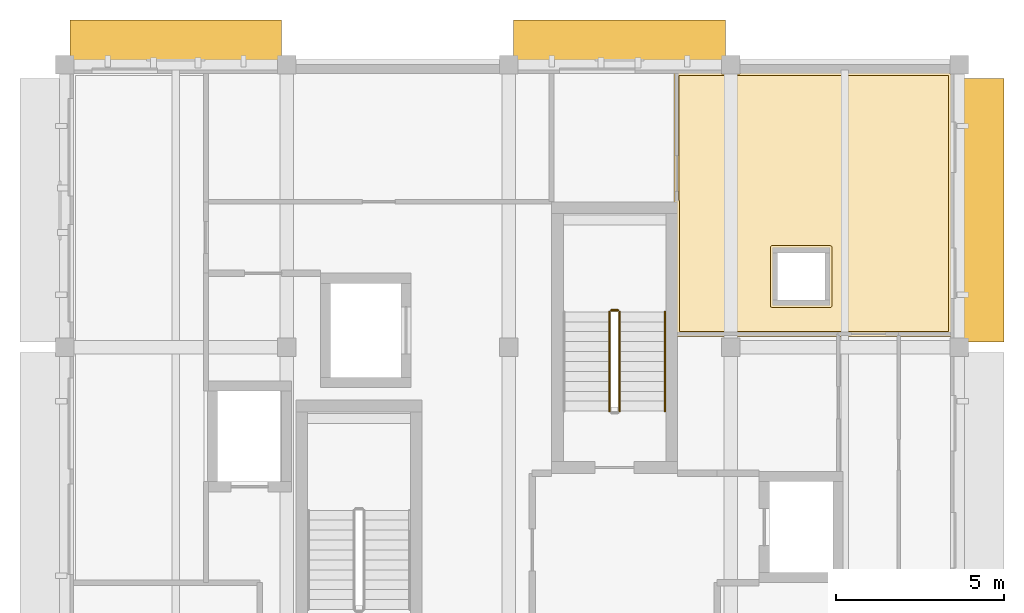
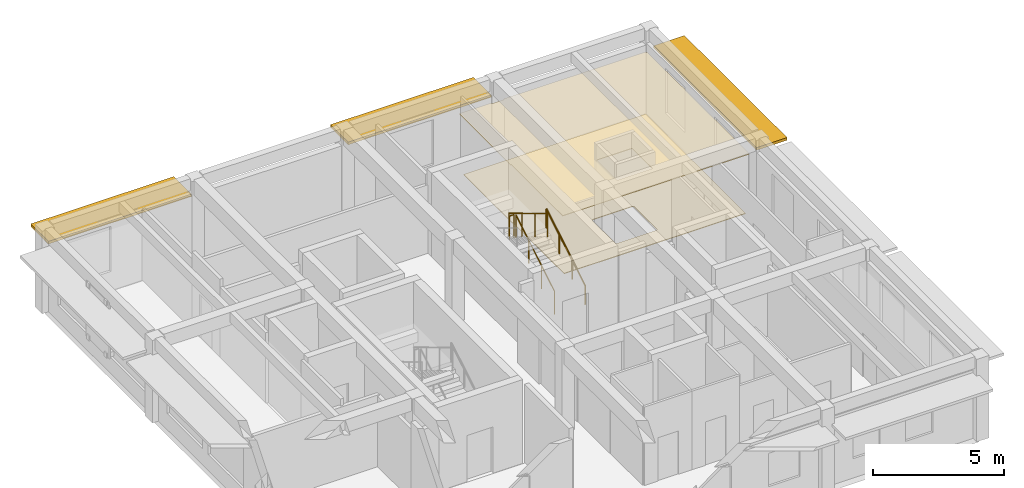
# One storey, part 7 of 7: 4 railings, 3 shading devices, 2 coverings.
"""IFC4 building model written with IfcOpenShell, lengths in metres."""

import ifcopenshell
import ifcopenshell.guid

model = None  # the IFC model being written
_history = None  # IfcOwnerHistory: only IFC2X3 demands one
_inside = {}  # id of a spatial element -> (the spatial element, [elements in it])
_under = {}  # id of a project, library or spatial element -> (it, [spatial elements below it])
_declared = {}  # id of a project -> (the project, [libraries it declares])
_typed = {}  # id of a type object -> (the type object, [elements of that type])
_made_of = {}  # id of a material, layer set ... -> (it, [elements and type objects made of it])


def new_model(schema):
    """Start an empty IFC model of exactly this schema.

    Asked for "IFC4X3", IfcOpenShell would pick the latest addendum, in which some entities
    have other attributes; the version numbers below select the first issue.
    IFC2X3 requires an IfcOwnerHistory on every rooted entity: one is made here for all.
    """
    global model, _history
    if schema == "IFC4X3":
        model = ifcopenshell.file(schema_version=(4, 3, 0, 0))
    else:
        model = ifcopenshell.file(schema=schema)
    _inside.clear()
    _under.clear()
    _declared.clear()
    _typed.clear()
    _made_of.clear()
    _history = None
    if model.schema == "IFC2X3":
        org = make("IfcOrganization", Name="unknown")
        user = make(
            "IfcPersonAndOrganization",
            ThePerson=make("IfcPerson", FamilyName="unknown"),
            TheOrganization=org,
        )
        app = make(
            "IfcApplication",
            ApplicationDeveloper=org,
            Version="unknown",
            ApplicationFullName="unknown",
            ApplicationIdentifier="unknown",
        )
        _history = make(
            "IfcOwnerHistory",
            OwningUser=user,
            OwningApplication=app,
            ChangeAction="ADDED",
            CreationDate=0,
        )
    return model


def make(cls, **values):
    """One entity of the class cls with the attributes given. An attribute that is None is left unset."""
    return model.create_entity(
        cls, **{name: value for name, value in values.items() if value is not None}
    )


def rooted(cls, **values):
    """An entity with a GlobalId (a new one), such as an element, a storey or a relation."""
    return make(cls, GlobalId=ifcopenshell.guid.new(), OwnerHistory=_history, **values)


def si_unit(unit_type, name, prefix=None):
    """IfcSIUnit, for example si_unit("LENGTHUNIT", "METRE", prefix="MILLI")."""
    return make("IfcSIUnit", UnitType=unit_type, Prefix=prefix, Name=name)


def assignment(units):
    """IfcUnitAssignment: the units of a project."""
    return None if units is None else make("IfcUnitAssignment", Units=units)


def point(xyz):
    """IfcCartesianPoint."""
    return None if xyz is None else make("IfcCartesianPoint", Coordinates=xyz)


def direction(xyz):
    """IfcDirection."""
    return None if xyz is None else make("IfcDirection", DirectionRatios=xyz)


def frame(location, z_axis=None, x_axis=None):
    """IfcAxis2Placement3D, a coordinate frame: its origin and axes. An axis left out is left unset."""
    return make(
        "IfcAxis2Placement3D",
        Location=point(location),
        Axis=direction(z_axis),
        RefDirection=direction(x_axis),
    )


def frame_2d(location, x_axis=None):
    """IfcAxis2Placement2D, a coordinate frame in the plane: its origin and x axis."""
    return make(
        "IfcAxis2Placement2D", Location=point(location), RefDirection=direction(x_axis)
    )


def origin():
    """The frame at (0, 0, 0) with its axes left unset."""
    return frame((0.0, 0.0, 0.0))


def origin_2d():
    """The frame at (0, 0) in the plane with its x axis left unset."""
    return frame_2d((0.0, 0.0))


def place(relative_to, where):
    """IfcLocalPlacement: puts the frame where relative to a parent placement (None: the world)."""
    return make(
        "IfcLocalPlacement", PlacementRelTo=relative_to, RelativePlacement=where
    )


def context(
    kind, dimensions, precision=None, world=None, true_north=None, identifier=None
):
    """IfcGeometricRepresentationContext, for example the 3D "Model" context."""
    return make(
        "IfcGeometricRepresentationContext",
        ContextIdentifier=identifier,
        ContextType=kind,
        CoordinateSpaceDimension=dimensions,
        Precision=precision,
        WorldCoordinateSystem=world,
        TrueNorth=true_north,
    )


def subcontext(parent, identifier, kind, view, scale=None):
    """IfcGeometricRepresentationSubContext, for example "Body" below "Model"."""
    return make(
        "IfcGeometricRepresentationSubContext",
        ContextIdentifier=identifier,
        ContextType=kind,
        ParentContext=parent,
        TargetScale=scale,
        TargetView=view,
    )


def project(units=None, contexts=None):
    """IfcProject with its units and contexts."""
    return rooted(
        "IfcProject",
        Name="project",
        RepresentationContexts=contexts,
        UnitsInContext=assignment(units),
    )


def spatial(cls, under=None, at=None, **own):
    """A site, building, storey or space (cls), placed at a placement, below another one or the project."""
    s = rooted(cls, ObjectPlacement=at, **own)
    if under is not None:
        _under.setdefault(under.id(), (under, []))[1].append(s)
    return s


def polyline(points):
    """IfcPolyline through the points."""
    return make("IfcPolyline", Points=[point(p) for p in points])


def profile(cls, at=None, kind="AREA", **sizes):
    """A parametric profile (cls). Its sizes go by their IFC names, for example OverallWidth=200.0."""
    return make(cls, ProfileType=kind, Position=at, **sizes)


def rectangle(**sizes):
    """IfcRectangleProfileDef."""
    return profile("IfcRectangleProfileDef", **sizes)


def circle(**sizes):
    """IfcCircleProfileDef."""
    return profile("IfcCircleProfileDef", **sizes)


def outline(outer, holes=None, kind="AREA"):
    """IfcArbitraryClosedProfileDef: a profile drawn as a closed curve; with holes, ...WithVoids."""
    if holes is None:
        return make("IfcArbitraryClosedProfileDef", ProfileType=kind, OuterCurve=outer)
    return make(
        "IfcArbitraryProfileDefWithVoids",
        ProfileType=kind,
        OuterCurve=outer,
        InnerCurves=holes,
    )


def extrude(swept, where, along, depth):
    """IfcExtrudedAreaSolid: the profile swept, set in the frame where, extruded along a direction by depth."""
    return make(
        "IfcExtrudedAreaSolid",
        SweptArea=swept,
        Position=where,
        ExtrudedDirection=direction(along),
        Depth=depth,
    )


def shape(context_of_items, identifier, shape_type, items):
    """IfcShapeRepresentation: the items that make up one representation, for example the "Body"."""
    return make(
        "IfcShapeRepresentation",
        ContextOfItems=context_of_items,
        RepresentationIdentifier=identifier,
        RepresentationType=shape_type,
        Items=items,
    )


def material(Name=None, Category=None):
    """IfcMaterial."""
    return make("IfcMaterial", Name=Name, Category=Category)


def layer(
    of_material, thickness, ventilated=None, Name=None, Category=None, Priority=None
):
    """IfcMaterialLayer: one layer of a wall or slab, of a material (None: an air gap)."""
    return make(
        "IfcMaterialLayer",
        Material=of_material,
        LayerThickness=thickness,
        IsVentilated=ventilated,
        Name=Name,
        Category=Category,
        Priority=Priority,
    )


def layer_set(layers, Name=None):
    """IfcMaterialLayerSet."""
    return make("IfcMaterialLayerSet", MaterialLayers=layers, LayerSetName=Name)


def made_of(thing, what):
    """Note that an element or type object is made of a material, layer set ...; save() writes the relation."""
    if what is not None:
        _made_of.setdefault(what.id(), (what, []))[1].append(thing)
    return thing


def type_object(cls, material=None, **own):
    """A type object (cls), such as IfcWallType, which elements share."""
    return made_of(rooted(cls, **own), material)


def element(
    cls,
    number,
    at=None,
    inside=None,
    cuts=None,
    type_object=None,
    material=None,
    context=None,
    identifier="Body",
    shape_type=None,
    held_by="IfcProductDefinitionShape",
    body=None,
    shapes=None,
    **own,
):
    """One element of the class cls, such as IfcWall. Its Tag is "e" and its number.

    at: its placement. inside: the storey or other place that contains it. cuts: it is an
    opening in that element (IfcRelVoidsElement). A single representation is given by context,
    identifier, shape_type and body (its items); several are given by shapes. held_by: the class
    of the entity that holds the representations. save() writes the other relations.
    """
    e = rooted(cls, Tag="e%d" % number, ObjectPlacement=at, **own)
    if body is not None:
        shapes = [shape(context, identifier, shape_type, body)]
    if shapes is not None:
        e.Representation = make(held_by, Representations=shapes)
    if inside is not None:
        _inside.setdefault(inside.id(), (inside, []))[1].append(e)
    if cuts is not None:
        rooted(
            "IfcRelVoidsElement", RelatingBuildingElement=cuts, RelatedOpeningElement=e
        )
    if type_object is not None:
        _typed.setdefault(type_object.id(), (type_object, []))[1].append(e)
    return made_of(e, material)


def aggregate(whole, parts):
    """IfcRelAggregates: a whole, such as a stair, and the parts it consists of."""
    return rooted("IfcRelAggregates", RelatingObject=whole, RelatedObjects=parts)


def save(model, path):
    """Write the relations noted so far, then the file.

    IfcRelAggregates (storeys below a building ...), IfcRelContainedInSpatialStructure (elements
    in a storey), IfcRelDefinesByType, IfcRelAssociatesMaterial and IfcRelDeclares: one each for
    every whole, place, type object, material and project.
    """
    for whole, parts in _under.values():
        aggregate(whole, parts)
    for where, things in _inside.values():
        rooted(
            "IfcRelContainedInSpatialStructure",
            RelatedElements=things,
            RelatingStructure=where,
        )
    for kind, things in _typed.values():
        rooted("IfcRelDefinesByType", RelatedObjects=things, RelatingType=kind)
    for what, things in _made_of.values():
        rooted("IfcRelAssociatesMaterial", RelatedObjects=things, RelatingMaterial=what)
    for by, libraries in _declared.values():
        rooted("IfcRelDeclares", RelatingContext=by, RelatedDefinitions=libraries)
    model.write(path)


model = new_model("IFC4")

# Units and contexts
model_context = context("Model", 3, precision=1e-05, world=origin(), true_north=direction((0.0, 1.0)))
body_context = subcontext(model_context, "Body", "Model", "MODEL_VIEW")
ifc_project = project(units=[si_unit("LENGTHUNIT", "METRE"), si_unit("AREAUNIT", "SQUARE_METRE"), si_unit("VOLUMEUNIT", "CUBIC_METRE"), si_unit("PLANEANGLEUNIT", "RADIAN"), si_unit("MASSUNIT", "GRAM", prefix="KILO")], contexts=[model_context])

# Site, building, storey
site_placement = place(None, origin())
site = spatial("IfcSite", under=ifc_project, at=site_placement, CompositionType="ELEMENT")
building_placement = place(site_placement, origin())
building = spatial("IfcBuilding", under=site, at=building_placement, Name="Kolvaren Faculty of Natural Sciences", CompositionType="ELEMENT")
storey_placement = place(building_placement, frame((0.0, 0.0, 40.5)))
storey = spatial("IfcBuildingStorey", under=building, at=storey_placement, Name="L09", CompositionType="ELEMENT", Elevation=40.5)

# Covering
ifc_material_1 = material(Name="Perforated mineral-fibre acoustic suspended ceiling tile")
ifc_layer_1 = layer(ifc_material_1, 0.02490234375)
ifc_layer_set_1 = layer_set([ifc_layer_1], Name="Perforated mineral-fibre acoustic suspended ceiling tile")
covering_type_1 = type_object("IfcCoveringType", Name="AcousticSuspendedCeiling_25", PredefinedType="CEILING", material=ifc_layer_set_1)
covering_1_placement = place(storey_placement, frame((0.0, 0.0, 2.824951171875)))
element("IfcCovering", 1, at=covering_1_placement, inside=storey, type_object=covering_type_1, Name="L09 L09 Senior Researcher Office acoustic ceiling", PredefinedType="CEILING", context=body_context, shape_type="SweptSolid", body=[
    extrude(outline(polyline([(163.544921875, 80.044921875), (163.52001953125, 80.044921875), (163.52001953125, 83.97998046875), (164.925048828125, 83.97998046875), (164.925048828125, 83.925048828125), (165.47509765625, 83.925048828125), (165.47509765625, 83.97998046875), (171.72509765625, 83.97998046875), (171.72509765625, 83.925048828125), (171.780029296875, 83.925048828125), (171.780029296875, 76.1201171875), (163.544921875, 76.1201171875), (163.544921875, 80.044921875)]), holes=[polyline([(168.080078125, 77.1201171875), (168.080078125, 78.679931640625), (166.52001953125, 78.679931640625), (166.52001953125, 77.1201171875), (168.080078125, 77.1201171875)])]), origin(), (0.0, 0.0, 1.0), 0.025146484375),
])

# Shading devices
ifc_material_2 = material(Name="Precast concrete C35/45", Category="concrete")
ifc_layer_2 = layer(ifc_material_2, 0.1201171875)
ifc_layer_set_2 = layer_set([ifc_layer_2], Name="Precast concrete C35/45")
shading_device_type = type_object("IfcShadingDeviceType", Name="ChhajjaSolarHood_1350", PredefinedType="AWNING", material=ifc_layer_set_2)
shading_device_placement = place(storey_placement, frame((172.655029296875, 79.8701171875, 3.044921875), z_axis=(0.0, 0.0, 1.0), x_axis=(0.0, -1.0, 0.0)))
element("IfcShadingDevice", 2, at=shading_device_placement, inside=storey, type_object=shading_device_type, Name="L09 precast sandstone chhajja solar hood 202", PredefinedType="AWNING", context=body_context, shape_type="SweptSolid", body=[
    extrude(rectangle(XDim=7.840087890625, YDim=1.35009765625, at=origin_2d()), origin(), (0.0, 0.0, 1.0), 0.1201171875),
])
for number, where, z_axis, x_axis, name in (
    (3, (148.699951171875, 84.85498046875, 2.94482421875), (0.0, 0.0, 1.0), (1.0, 0.0, 0.0), "L09 precast sandstone chhajja solar hood 205"),
    (4, (161.89990234375, 84.85498046875, 2.94482421875), (0.0, 0.0, 1.0), (1.0, 0.0, 0.0), "L09 precast sandstone chhajja solar hood 206"),
):
    element("IfcShadingDevice", number, at=place(storey_placement, frame(where, z_axis=z_axis, x_axis=x_axis)), inside=storey, type_object=shading_device_type, Name=name, PredefinedType="AWNING", context=body_context, shape_type="SweptSolid", body=[
        extrude(rectangle(XDim=6.300048828125, YDim=1.35009765625, at=origin_2d()), origin(), (0.0, 0.0, 1.0), 0.1201171875),
    ])

# Railings
ifc_material_3 = material(Name="Structural steel EN 10210-1 S355J2H", Category="steel")
ifc_layer_3 = layer(ifc_material_3, 0.048095703125)
ifc_layer_set_3 = layer_set([ifc_layer_3], Name="Structural steel EN 10210-1 S355J2H")
railing_type_1 = type_object("IfcRailingType", Name="StairPitchHandrail_920", PredefinedType="HANDRAIL", material=ifc_layer_set_3)
railing_1_placement = place(storey_placement, frame((163.25, 73.89990234375, 0.17724609375)))
element("IfcRailing", 5, at=railing_1_placement, inside=storey, type_object=railing_type_1, Name="L09 ST-1 stair handrail 1", PredefinedType="HANDRAIL", context=body_context, shape_type="SweptSolid", body=[
    extrude(circle(Radius=0.02392578125, at=origin_2d()), frame((0.0, 0.0, 0.8759765625), z_axis=(0.0, 0.85716102882, 0.515048512931), x_axis=(-1.0, 0.0, 0.0)), (0.0, 0.0, 1.0), 3.44189453125),
    extrude(circle(Radius=0.02099609375, at=origin_2d()), origin(), (0.0, 0.0, 1.0), 0.851806640625),
    extrude(circle(Radius=0.02099609375, at=origin_2d()), frame((0.0, 0.9833984375, 0.5908203125)), (0.0, 0.0, 1.0), 0.851806640625),
    extrude(circle(Radius=0.02099609375, at=origin_2d()), frame((0.0, 1.966796875, 1.181884765625)), (0.0, 0.0, 1.0), 0.851806640625),
    extrude(circle(Radius=0.02099609375, at=origin_2d()), frame((0.0, 2.9501953125, 1.772705078125)), (0.0, 0.0, 1.0), 0.851806640625),
])
ifc_layer_4 = layer(ifc_material_3, 0.048095703125)
ifc_layer_set_4 = layer_set([ifc_layer_4], Name="Structural steel EN 10210-1 S355J2H")
railing_type_2 = type_object("IfcRailingType", Name="StairWellGuard_1100", PredefinedType="BALUSTRADE", material=ifc_layer_set_4)
railing_2_placement = place(storey_placement, frame((161.89990234375, 73.89990234375, 0.17724609375)))
element("IfcRailing", 6, at=railing_2_placement, inside=storey, type_object=railing_type_2, Name="L09 ST-1 stair guard 1", PredefinedType="BALUSTRADE", context=body_context, shape_type="SweptSolid", body=[
    extrude(circle(Radius=0.02392578125, at=origin_2d()), frame((0.0, 0.0, 1.076171875), z_axis=(0.0, 0.85716102882, 0.515048512931), x_axis=(-1.0, 0.0, 0.0)), (0.0, 0.0, 1.0), 3.44189453125),
    extrude(circle(Radius=0.02099609375, at=origin_2d()), origin(), (0.0, 0.0, 1.0), 1.052001953125),
    extrude(circle(Radius=0.02099609375, at=origin_2d()), frame((0.0, 0.9833984375, 0.5908203125)), (0.0, 0.0, 1.0), 1.052001953125),
    extrude(circle(Radius=0.02099609375, at=origin_2d()), frame((0.0, 1.966796875, 1.181884765625)), (0.0, 0.0, 1.0), 1.052001953125),
    extrude(circle(Radius=0.02099609375, at=origin_2d()), frame((0.0, 2.9501953125, 1.772705078125)), (0.0, 0.0, 1.0), 1.052001953125),
])
railing_3_placement = place(storey_placement, frame((161.85009765625, 76.89990234375, 1.949951171875)))
element("IfcRailing", 7, at=railing_3_placement, inside=storey, type_object=railing_type_2, Name="L09 ST-1 stair guard 2", PredefinedType="BALUSTRADE", context=body_context, shape_type="SweptSolid", body=[
    extrude(circle(Radius=0.02392578125, at=origin_2d()), frame((0.0, 0.0, 1.076171875), z_axis=(-1.0, 0.0, 0.0), x_axis=(0.0, -1.0, 0.0)), (0.0, 0.0, 1.0), 0.2001953125),
    extrude(circle(Radius=0.02099609375, at=origin_2d()), origin(), (0.0, 0.0, 1.0), 1.052001953125),
    extrude(circle(Radius=0.02099609375, at=origin_2d()), frame((-0.2001953125, 0.0, 0.0)), (0.0, 0.0, 1.0), 1.052001953125),
])
railing_4_placement = place(storey_placement, frame((161.60009765625, 76.85009765625, 2.127197265625)))
element("IfcRailing", 8, at=railing_4_placement, inside=storey, type_object=railing_type_2, Name="L09 ST-1 stair guard 3", PredefinedType="BALUSTRADE", context=body_context, shape_type="SweptSolid", body=[
    extrude(circle(Radius=0.02392578125, at=origin_2d()), frame((0.0, 0.0, 1.076171875), z_axis=(0.0, -0.85716102882, 0.515048512931), x_axis=(1.0, 0.0, 0.0)), (0.0, 0.0, 1.0), 3.44189453125),
    extrude(circle(Radius=0.02099609375, at=origin_2d()), origin(), (0.0, 0.0, 1.0), 1.052001953125),
    extrude(circle(Radius=0.02099609375, at=origin_2d()), frame((0.0, -0.9833984375, 0.5908203125)), (0.0, 0.0, 1.0), 1.052001953125),
    extrude(circle(Radius=0.02099609375, at=origin_2d()), frame((0.0, -1.966796875, 1.181884765625)), (0.0, 0.0, 1.0), 1.052001953125),
    extrude(circle(Radius=0.02099609375, at=origin_2d()), frame((0.0, -2.9501953125, 1.772705078125)), (0.0, 0.0, 1.0), 1.052001953125),
])

# Covering
ifc_material_4 = material(Name="Polished Uruguayan grey granite terrazzo flooring", Category="masonry")
ifc_layer_5 = layer(ifc_material_4, 0.030029296875)
ifc_layer_set_5 = layer_set([ifc_layer_5], Name="Polished Uruguayan grey granite terrazzo flooring")
covering_type_2 = type_object("IfcCoveringType", Name="TerrazzoFloorFinish_30", PredefinedType="FLOORING", material=ifc_layer_set_5)
covering_2_placement = place(storey_placement, origin())
element("IfcCovering", 9, at=covering_2_placement, inside=storey, type_object=covering_type_2, Name="L09 L09 Senior Researcher Office floor finish", PredefinedType="FLOORING", context=body_context, shape_type="SweptSolid", body=[
    extrude(outline(polyline([(163.659912109375, 83.8798828125), (171.679931640625, 83.8798828125), (171.679931640625, 76.260009765625), (163.68505859375, 76.260009765625), (163.68505859375, 80.125), (163.684814453125, 80.130859375), (163.683837890625, 80.13671875), (163.682373046875, 80.142333984375), (163.680419921875, 80.14794921875), (163.677978515625, 80.1533203125), (163.6748046875, 80.158203125), (163.67138671875, 80.1630859375), (163.66748046875, 80.16748046875), (163.6630859375, 80.17138671875), (163.659912109375, 80.173583984375), (163.659912109375, 83.8798828125)]), holes=[polyline([(166.43408203125, 78.819580078125), (166.42822265625, 78.81884765625), (166.422607421875, 78.8173828125), (166.4169921875, 78.8154296875), (166.41162109375, 78.81298828125), (166.40673828125, 78.809814453125), (166.40185546875, 78.806396484375), (166.397705078125, 78.802490234375), (166.3935546875, 78.798095703125), (166.39013671875, 78.793212890625), (166.38720703125, 78.788330078125), (166.384521484375, 78.782958984375), (166.382568359375, 78.77734375), (166.381103515625, 78.771728515625), (166.38037109375, 78.765869140625), (166.3798828125, 78.760009765625), (166.3798828125, 77.0400390625), (166.38037109375, 77.0341796875), (166.381103515625, 77.0283203125), (166.382568359375, 77.022705078125), (166.384521484375, 77.01708984375), (166.38720703125, 77.01171875), (166.39013671875, 77.006591796875), (166.3935546875, 77.001953125), (166.397705078125, 76.99755859375), (166.40185546875, 76.99365234375), (166.40673828125, 76.989990234375), (166.41162109375, 76.987060546875), (166.4169921875, 76.984619140625), (166.422607421875, 76.982666015625), (166.42822265625, 76.981201171875), (166.43408203125, 76.980224609375), (166.43994140625, 76.97998046875), (168.159912109375, 76.97998046875), (168.166015625, 76.980224609375), (168.171630859375, 76.981201171875), (168.177490234375, 76.982666015625), (168.18310546875, 76.984619140625), (168.188232421875, 76.987060546875), (168.193359375, 76.989990234375), (168.197998046875, 76.99365234375), (168.202392578125, 76.99755859375), (168.206298828125, 77.001953125), (168.2099609375, 77.006591796875), (168.212890625, 77.01171875), (168.21533203125, 77.01708984375), (168.21728515625, 77.022705078125), (168.21875, 77.0283203125), (168.2197265625, 77.0341796875), (168.219970703125, 77.0400390625), (168.219970703125, 78.760009765625), (168.2197265625, 78.765869140625), (168.21875, 78.771728515625), (168.21728515625, 78.77734375), (168.21533203125, 78.782958984375), (168.212890625, 78.788330078125), (168.2099609375, 78.793212890625), (168.206298828125, 78.798095703125), (168.202392578125, 78.802490234375), (168.197998046875, 78.806396484375), (168.193359375, 78.809814453125), (168.188232421875, 78.81298828125), (168.18310546875, 78.8154296875), (168.177490234375, 78.8173828125), (168.171630859375, 78.81884765625), (168.166015625, 78.819580078125), (168.159912109375, 78.820068359375), (166.43994140625, 78.820068359375), (166.43408203125, 78.819580078125)])]), origin(), (0.0, 0.0, 1.0), 0.030029296875),
])

save(model, "model.ifc")
